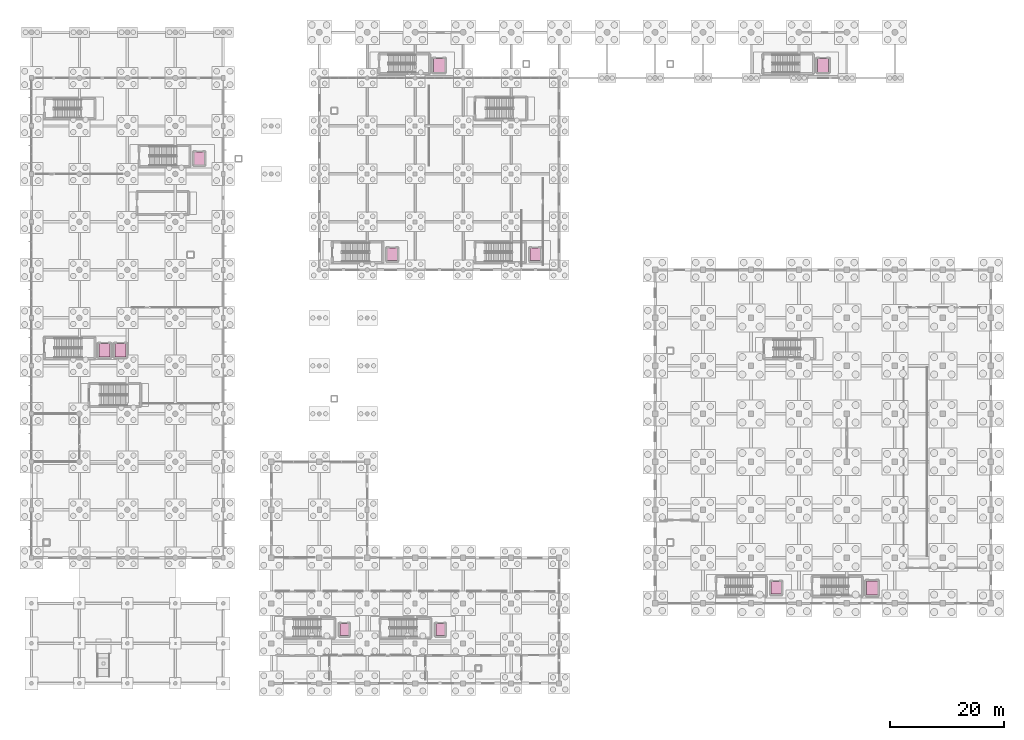
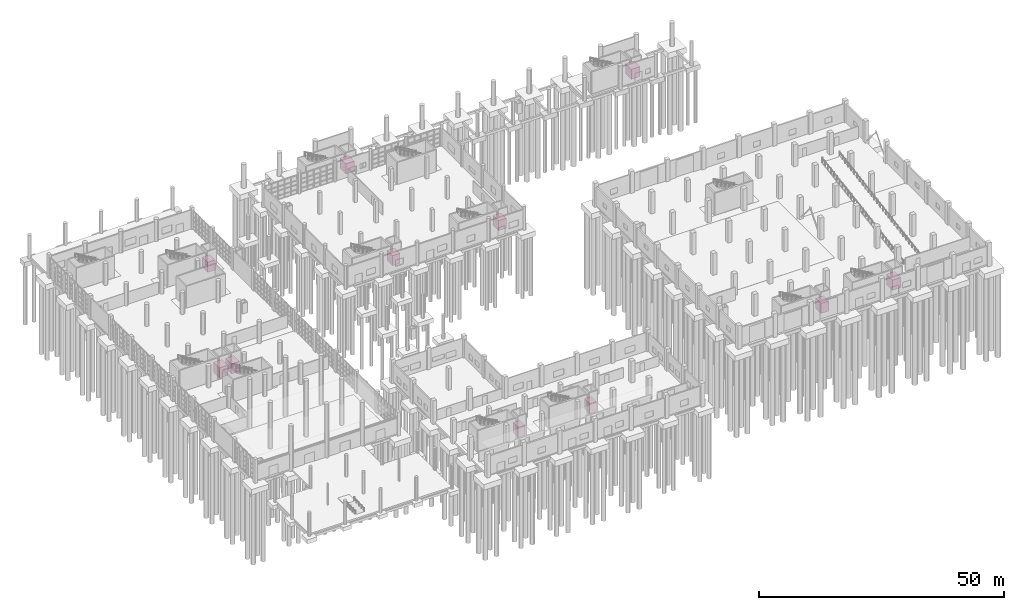
# One storey, part 83 of 83: 11 transport elements.
"""IFC4 building model written with IfcOpenShell, lengths in metres."""

from ifc_helpers import new_model, si_unit, direction, frame, origin, origin_2d, place, context, subcontext, project, spatial, rectangle, extrude, material, type_object, element, save


model = new_model("IFC4")

# Units and contexts
model_context = context("Model", 3, precision=1e-05, world=origin(), true_north=direction((0.0, 1.0)))
body_context = subcontext(model_context, "Body", "Model", "MODEL_VIEW")
ifc_project = project(units=[si_unit("LENGTHUNIT", "METRE"), si_unit("AREAUNIT", "SQUARE_METRE"), si_unit("VOLUMEUNIT", "CUBIC_METRE"), si_unit("PLANEANGLEUNIT", "RADIAN"), si_unit("MASSUNIT", "GRAM", prefix="KILO"), si_unit("THERMODYNAMICTEMPERATUREUNIT", "KELVIN"), si_unit("POWERUNIT", "WATT")], contexts=[model_context])

# Site, building, storey
site_placement = place(None, origin())
site = spatial("IfcSite", under=ifc_project, at=site_placement, CompositionType="ELEMENT")
building_placement = place(site_placement, origin())
building = spatial("IfcBuilding", under=site, at=building_placement, Name="Mavoryth Pier Ferry Terminal", CompositionType="ELEMENT")
storey_placement = place(building_placement, origin())
storey = spatial("IfcBuildingStorey", under=building, at=storey_placement, Name="L00", CompositionType="ELEMENT", Elevation=0.0)

# Transport elements
ifc_material = material(Name="Brushed Stainless Steel Passenger Lift Car", Category="steel")
transport_element_type_1 = type_object("IfcTransportElementType", Name="Lift-Firefighting-1350kg", PredefinedType="ELEVATOR", material=ifc_material)
transport_element_1_placement = place(storey_placement, frame((54.800048828125, 9.39990234375, 0.0), z_axis=(0.0, 0.0, 1.0), x_axis=(1.0, 0.0, 0.0)))
element("IfcTransportElement", 1, at=transport_element_1_placement, inside=storey, type_object=transport_element_type_1, Name="Firefighting Lift FL01", PredefinedType="ELEVATOR", context=body_context, shape_type="SweptSolid", body=[
    extrude(rectangle(XDim=1.60009765625, YDim=2.10009765625, at=origin_2d()), origin(), (0.0, 0.0, 1.0), 2.5),
])
transport_element_type_2 = type_object("IfcTransportElementType", Name="Lift-Goods-2500kg", PredefinedType="ELEVATOR", material=ifc_material)
transport_element_2_placement = place(storey_placement, frame((147.199951171875, 16.699951171875, 0.0), z_axis=(0.0, 0.0, 1.0), x_axis=(1.0, 0.0, 0.0)))
element("IfcTransportElement", 2, at=transport_element_2_placement, inside=storey, type_object=transport_element_type_2, Name="Passenger Lift LF09", PredefinedType="ELEVATOR", context=body_context, shape_type="SweptSolid", body=[
    extrude(rectangle(XDim=2.0, YDim=2.5, at=origin_2d()), origin(), (0.0, 0.0, 1.0), 2.550048828125),
])
transport_element_type_3 = type_object("IfcTransportElementType", Name="Lift-Operations-1350kg", PredefinedType="ELEVATOR", material=ifc_material)
transport_element_3_placement = place(storey_placement, frame((71.60009765625, 9.39990234375, 0.0), z_axis=(0.0, 0.0, 1.0), x_axis=(1.0, 0.0, 0.0)))
element("IfcTransportElement", 3, at=transport_element_3_placement, inside=storey, type_object=transport_element_type_3, Name="Passenger Lift LF10", PredefinedType="ELEVATOR", context=body_context, shape_type="SweptSolid", body=[
    extrude(rectangle(XDim=1.60009765625, YDim=2.10009765625, at=origin_2d()), origin(), (0.0, 0.0, 1.0), 2.5),
])
transport_element_type_4 = type_object("IfcTransportElementType", Name="Lift-Passenger-1600kg", PredefinedType="ELEVATOR", material=ifc_material)
for number, where, z_axis, x_axis, name in (
    (4, (29.39990234375, 91.89990234375, 0.0), (0.0, 0.0, 1.0), (1.0, 0.0, 0.0), "Passenger Lift LF03"),
    (5, (63.199951171875, 75.10009765625, 0.0), (0.0, 0.0, 1.0), (1.0, 0.0, 0.0), "Passenger Lift LF04"),
    (6, (88.199951171875, 75.10009765625, 0.0), (0.0, 0.0, 1.0), (1.0, 0.0, 0.0), "Passenger Lift LF05"),
    (7, (130.39990234375, 16.699951171875, 0.0), (0.0, 0.0, 1.0), (1.0, 0.0, 0.0), "Passenger Lift LF08"),
):
    element("IfcTransportElement", number, at=place(storey_placement, frame(where, z_axis=z_axis, x_axis=x_axis)), inside=storey, type_object=transport_element_type_4, Name=name, PredefinedType="ELEVATOR", context=body_context, shape_type="SweptSolid", body=[
        extrude(rectangle(XDim=1.800048828125, YDim=2.199951171875, at=origin_2d()), origin(), (0.0, 0.0, 1.0), 2.5),
    ])
transport_element_type_5 = type_object("IfcTransportElementType", Name="Lift-Passenger-2000kg", PredefinedType="ELEVATOR", material=ifc_material)
for number, where, z_axis, x_axis, name in (
    (8, (12.800048828125, 58.300048828125, 0.0), (0.0, 0.0, 1.0), (1.0, 0.0, 0.0), "Passenger Lift LF01"),
    (9, (15.60009765625, 58.300048828125, 0.0), (0.0, 0.0, 1.0), (1.0, 0.0, 0.0), "Passenger Lift LF02"),
    (10, (71.39990234375, 108.199951171875, 0.0), (0.0, 0.0, 1.0), (1.0, 0.0, 0.0), "Passenger Lift LF06"),
    (11, (138.60009765625, 108.199951171875, 0.0), (0.0, 0.0, 1.0), (1.0, 0.0, 0.0), "Passenger Lift LF07"),
):
    element("IfcTransportElement", number, at=place(storey_placement, frame(where, z_axis=z_axis, x_axis=x_axis)), inside=storey, type_object=transport_element_type_5, Name=name, PredefinedType="ELEVATOR", context=body_context, shape_type="SweptSolid", body=[
        extrude(rectangle(XDim=2.0, YDim=2.39990234375, at=origin_2d()), origin(), (0.0, 0.0, 1.0), 2.5),
    ])

save(model, "model.ifc")
